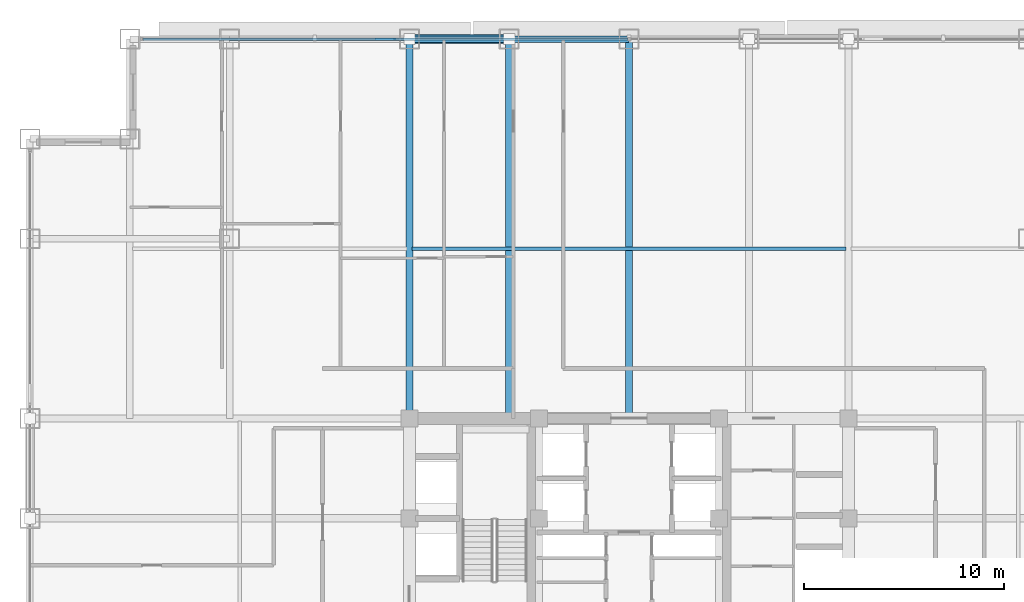
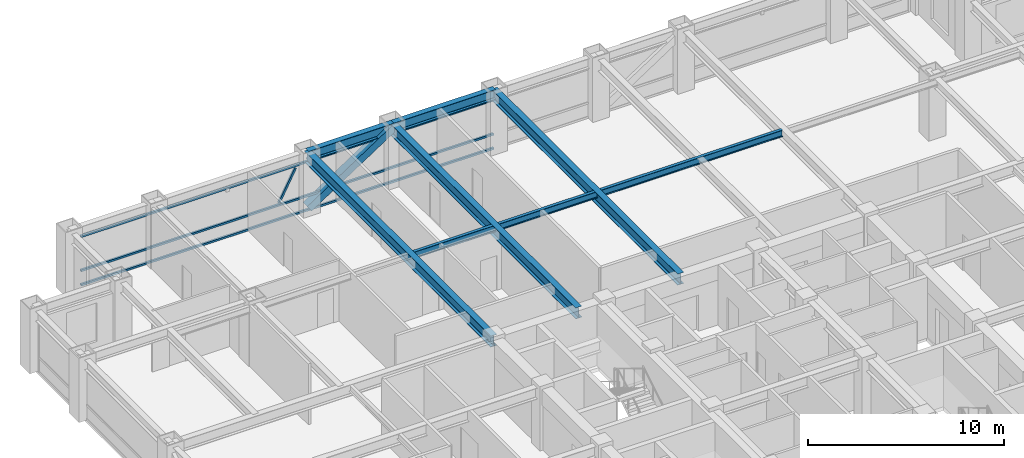
# One storey, part 15 of 29: 6 beams, 5 members, 1 element without a shape of its own.
"""IFC4 building model written with IfcOpenShell, lengths in metres."""

from ifc_helpers import new_model, si_unit, direction, frame, origin, origin_2d, place, context, subcontext, project, spatial, hollow_rectangle, i_section, extrude, source, transform, mapped, material, material_profile, profile_set, type_object, element, aggregate, save


model = new_model("IFC4")

# Units and contexts
model_context = context("Model", 3, precision=1e-05, world=origin(), true_north=direction((0.0, 1.0)))
body_context = subcontext(model_context, "Body", "Model", "MODEL_VIEW")
ifc_project = project(units=[si_unit("LENGTHUNIT", "METRE"), si_unit("AREAUNIT", "SQUARE_METRE"), si_unit("VOLUMEUNIT", "CUBIC_METRE"), si_unit("PLANEANGLEUNIT", "RADIAN"), si_unit("MASSUNIT", "GRAM", prefix="KILO")], contexts=[model_context])

# Site, building, storey
site_placement = place(None, origin())
site = spatial("IfcSite", under=ifc_project, at=site_placement, CompositionType="ELEMENT")
building_placement = place(site_placement, origin())
building = spatial("IfcBuilding", under=site, at=building_placement, Name="Khorayat Bourse Tower", CompositionType="ELEMENT")
storey_placement = place(building_placement, frame((0.0, 0.0, 239.10009765625)))
storey = spatial("IfcBuildingStorey", under=building, at=storey_placement, Name="L56", CompositionType="ELEMENT", Elevation=239.10009765625)

# Beams
ifc_material_1 = material(Name="Steel ASTM A992 Grade 50", Category="steel")
ifc_material_profile_1 = material_profile(ifc_material_1, i_section(OverallWidth=0.180908203125, OverallDepth=0.4169921875, WebThickness=0.010986328125, FlangeThickness=0.018310546875, FilletRadius=0.011962890625, at=origin_2d()), Name="W410X85")
ifc_profile_set_1 = profile_set([ifc_material_profile_1], Name="Steel ASTM A992 Grade 50")
beam_type_1 = type_object("IfcBeamType", Name="BM-JOIST-410", PredefinedType="JOIST", material=ifc_profile_set_1)
shared_shape_1 = source(origin(), body_context, "Body", "SweptSolid", [
    extrude(i_section(OverallWidth=0.180908203125, OverallDepth=0.4169921875, WebThickness=0.010986328125, FlangeThickness=0.018310546875, FilletRadius=0.011962890625, at=origin_2d()), origin(), (0.0, 0.0, 1.0), 21.740234375),
])
beam_1_placement = place(storey_placement, frame((-10.8701171875, 19.5, 3.5712890625), z_axis=(1.0, 0.0, 0.0), x_axis=(0.0, 1.0, 0.0)))
element("IfcBeam", 1, at=beam_1_placement, inside=storey, type_object=beam_type_1, Name="L56 BM-JOIST-410 BM-L56-JSTX-100", PredefinedType="JOIST", context=body_context, shape_type="MappedRepresentation", body=[
    mapped(shared_shape_1, transform((0.0, 0.0, 0.0), scale=1.0)),
])
ifc_material_profile_2 = material_profile(ifc_material_1, i_section(OverallWidth=0.324951171875, OverallDepth=0.615966796875, WebThickness=0.013916015625, FlangeThickness=0.021484375, FilletRadius=0.01611328125, at=origin_2d()), Name="W610X174")
ifc_profile_set_2 = profile_set([ifc_material_profile_2], Name="Steel ASTM A992 Grade 50")
beam_type_2 = type_object("IfcBeamType", Name="BM-SPAN-610", PredefinedType="SPANDREL", material=ifc_profile_set_2)
shared_shape_2 = source(origin(), body_context, "Body", "SweptSolid", [
    extrude(i_section(OverallWidth=0.324951171875, OverallDepth=0.615966796875, WebThickness=0.013916015625, FlangeThickness=0.021484375, FilletRadius=0.01611328125, at=origin_2d()), origin(), (0.0, 0.0, 1.0), 5.0),
])
beam_2_placement = place(storey_placement, frame((-11.0, 30.0, 3.471923828125), z_axis=(1.0, 0.0, 0.0), x_axis=(0.0, 1.0, 0.0)))
element("IfcBeam", 2, at=beam_2_placement, inside=storey, type_object=beam_type_2, Name="L56 BM-SPAN-610 BM-L56-SPN-049", PredefinedType="SPANDREL", context=body_context, shape_type="MappedRepresentation", body=[
    mapped(shared_shape_2, transform((0.0, 0.0, 0.0), scale=1.0)),
])
shared_shape_3 = source(origin(), body_context, "Body", "SweptSolid", [
    extrude(i_section(OverallWidth=0.324951171875, OverallDepth=0.615966796875, WebThickness=0.013916015625, FlangeThickness=0.021484375, FilletRadius=0.01611328125, at=origin_2d()), origin(), (0.0, 0.0, 1.0), 6.0),
])
beam_3_placement = place(storey_placement, frame((-6.0, 30.0, 3.471923828125), z_axis=(1.0, 0.0, 0.0), x_axis=(0.0, 1.0, 0.0)))
element("IfcBeam", 3, at=beam_3_placement, inside=storey, type_object=beam_type_2, Name="L56 BM-SPAN-610 BM-L56-SPN-048", PredefinedType="SPANDREL", context=body_context, shape_type="MappedRepresentation", body=[
    mapped(shared_shape_3, transform((0.0, 0.0, 0.0), scale=1.0)),
])
ifc_material_profile_3 = material_profile(ifc_material_1, i_section(OverallWidth=0.35498046875, OverallDepth=0.695068359375, WebThickness=0.015380859375, FlangeThickness=0.02490234375, FilletRadius=0.01806640625, at=origin_2d()), Name="W690X217")
ifc_profile_set_3 = profile_set([ifc_material_profile_3], Name="Steel ASTM A992 Grade 50")
beam_type_3 = type_object("IfcBeamType", Name="BM-GIRD-690", PredefinedType="BEAM", material=ifc_profile_set_3)
shared_shape_4 = source(origin(), body_context, "Body", "SweptSolid", [
    extrude(i_section(OverallWidth=0.35498046875, OverallDepth=0.695068359375, WebThickness=0.015380859375, FlangeThickness=0.02490234375, FilletRadius=0.01806640625, at=origin_2d()), origin(), (0.0, 0.0, 1.0), 19.0),
])
for number, where, z_axis, x_axis, name in (
    (4, (-11.0, 11.0, 3.432373046875), (0.0, 1.0, 0.0), (-1.0, 0.0, 0.0), "L56 BM-GIRD-690 BM-L56-RADY-064"),
    (5, (-6.0, 11.0, 3.432373046875), (0.0, 1.0, 0.0), (-1.0, 0.0, 0.0), "L56 BM-GIRD-690 BM-L56-RADY-066"),
    (6, (0.0, 11.0, 3.432373046875), (0.0, 1.0, 0.0), (-1.0, 0.0, 0.0), "L56 BM-GIRD-690 BM-L56-RADY-068"),
):
    element("IfcBeam", number, at=place(storey_placement, frame(where, z_axis=z_axis, x_axis=x_axis)), inside=storey, type_object=beam_type_3, Name=name, PredefinedType="BEAM", context=body_context, shape_type="MappedRepresentation", body=[
        mapped(shared_shape_4, transform((0.0, 0.0, 0.0), scale=1.0)),
    ])

# Member
ifc_material_2 = material(Name="Steel EN 10025-4 S460M", Category="steel")
ifc_material_profile_4 = material_profile(ifc_material_2, hollow_rectangle(XDim=0.449951171875, YDim=0.449951171875, WallThickness=0.02490234375, at=origin_2d()), Name="HSS 450x450x25")
ifc_profile_set_4 = profile_set([ifc_material_profile_4], Name="Steel EN 10025-4 S460M")
member_type_1 = type_object("IfcMemberType", Name="MBR-TUBE-450", PredefinedType="BRACE", material=ifc_profile_set_4)
shared_shape_5 = source(origin(), body_context, "Body", "SweptSolid", [
    extrude(hollow_rectangle(XDim=0.449951171875, YDim=0.449951171875, WallThickness=0.02490234375, at=origin_2d()), origin(), (0.0, 0.0, 1.0), 5.979736328125),
])
member_1_placement = place(storey_placement, frame((-11.0, 30.0, 0.25), z_axis=(0.836160261256, 0.0, 0.548485202623), x_axis=(0.0, 1.0, 0.0)))
element("IfcMember", 7, at=member_1_placement, inside=storey, type_object=member_type_1, Name="L56 Perimeter Tube Brace 03", PredefinedType="BRACE", context=body_context, shape_type="MappedRepresentation", body=[
    mapped(shared_shape_5, transform((0.0, 0.0, 0.0), scale=1.0)),
])

# Curtain wall, members
ifc_material_3 = material(Name="Aluminium EN AW-6063 T6", Category="aluminium")
curtain_wall_type = type_object("IfcCurtainWallType", Name="CW-SYS-03", PredefinedType="NOTDEFINED", material=ifc_material_3)
curtain_wall_placement = place(storey_placement, origin())
curtain_wall = element("IfcCurtainWall", 8, at=curtain_wall_placement, inside=storey, type_object=curtain_wall_type, Name="L56 Curtain Wall CW-L56-N1", PredefinedType="NOTDEFINED")
ifc_material_profile_5 = material_profile(ifc_material_3, hollow_rectangle(XDim=0.1201171875, YDim=0.1201171875, WallThickness=0.0048828125, at=origin_2d()), Name="ALU 120x120x5")
ifc_profile_set_5 = profile_set([ifc_material_profile_5], Name="Aluminium EN AW-6063 T6")
member_type_2 = type_object("IfcMemberType", Name="CWM-DIAG-120", PredefinedType="MULLION", material=ifc_profile_set_5)
shared_shape_6 = source(origin(), body_context, "Body", "SweptSolid", [
    extrude(hollow_rectangle(XDim=0.1201171875, YDim=0.1201171875, WallThickness=0.0048828125, at=origin_2d()), origin(), (0.0, 0.0, 1.0), 2.079345703125),
])
member_2_placement = place(storey_placement, frame((-12.67919921875, 30.0, 1.08984375), z_axis=(0.465760949701, 0.0, 0.884910581773), x_axis=(0.0, 1.0, 0.0)))
member_2 = element("IfcMember", 9, at=member_2_placement, type_object=member_type_2, Name="CW-L56-N1 Faceted Diagonal Mullion 1", PredefinedType="MULLION", context=body_context, shape_type="MappedRepresentation", body=[
    mapped(shared_shape_6, transform((0.0, 0.0, 0.0), scale=1.0)),
])
ifc_material_profile_6 = material_profile(ifc_material_3, hollow_rectangle(XDim=0.1201171875, YDim=0.1201171875, WallThickness=0.0048828125, at=origin_2d()), Name="ALU 120x120x5")
ifc_profile_set_6 = profile_set([ifc_material_profile_6], Name="Aluminium EN AW-6063 T6")
member_type_3 = type_object("IfcMemberType", Name="CWT-HORZ-120", PredefinedType="USERDEFINED", material=ifc_profile_set_6)
shared_shape_7 = source(origin(), body_context, "Body", "SweptSolid", [
    extrude(hollow_rectangle(XDim=0.1201171875, YDim=0.1201171875, WallThickness=0.0048828125, at=origin_2d()), origin(), (0.0, 0.0, 1.0), 24.27001953125),
])
member_3_placement = place(storey_placement, frame((-24.330078125, 30.0, 0.059814453125), z_axis=(1.0, 0.0, 0.0), x_axis=(0.0, 1.0, 0.0)))
member_3 = element("IfcMember", 10, at=member_3_placement, type_object=member_type_3, Name="CW-L56-N1 Horizontal Transom 1-1", ObjectType="TRANSOM", PredefinedType="USERDEFINED", context=body_context, shape_type="MappedRepresentation", body=[
    mapped(shared_shape_7, transform((0.0, 0.0, 0.0), scale=1.0)),
])
member_4_placement = place(storey_placement, frame((-24.330078125, 30.0, 0.949951171875), z_axis=(1.0, 0.0, 0.0), x_axis=(0.0, 1.0, 0.0)))
member_4 = element("IfcMember", 11, at=member_4_placement, type_object=member_type_3, Name="CW-L56-N1 Horizontal Transom 1-2", ObjectType="TRANSOM", PredefinedType="USERDEFINED", context=body_context, shape_type="MappedRepresentation", body=[
    mapped(shared_shape_7, transform((0.0, 0.0, 0.0), scale=1.0)),
])
member_5_placement = place(storey_placement, frame((-24.330078125, 30.0, 3.06982421875), z_axis=(1.0, 0.0, 0.0), x_axis=(0.0, 1.0, 0.0)))
member_5 = element("IfcMember", 12, at=member_5_placement, type_object=member_type_3, Name="CW-L56-N1 Horizontal Transom 1-3", ObjectType="TRANSOM", PredefinedType="USERDEFINED", context=body_context, shape_type="MappedRepresentation", body=[
    mapped(shared_shape_7, transform((0.0, 0.0, 0.0), scale=1.0)),
])
aggregate(curtain_wall, [member_3, member_4, member_5, member_2])

save(model, "model.ifc")
